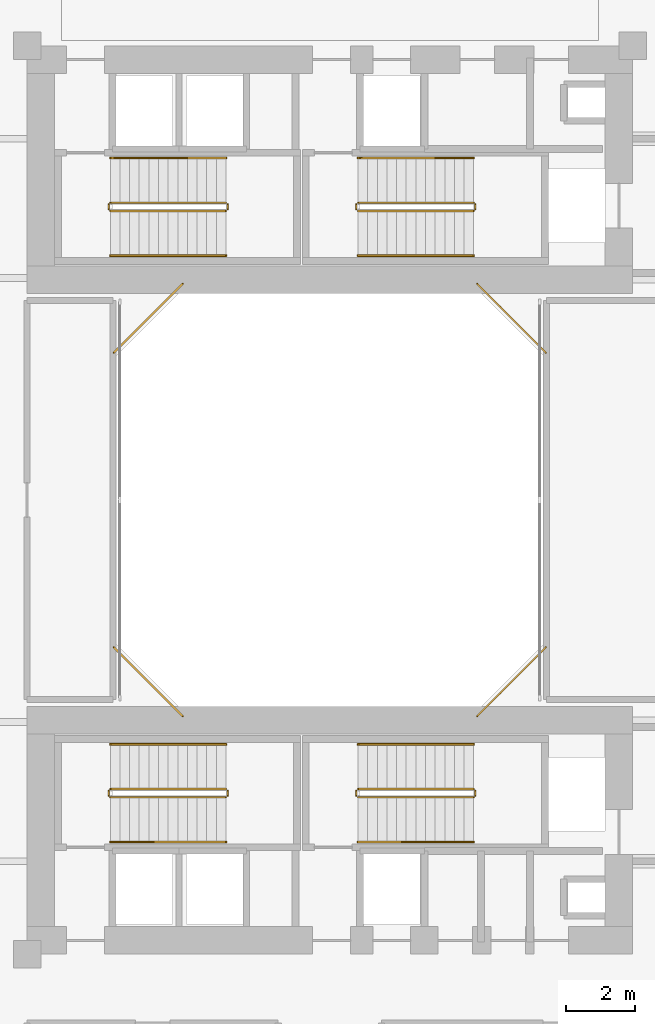
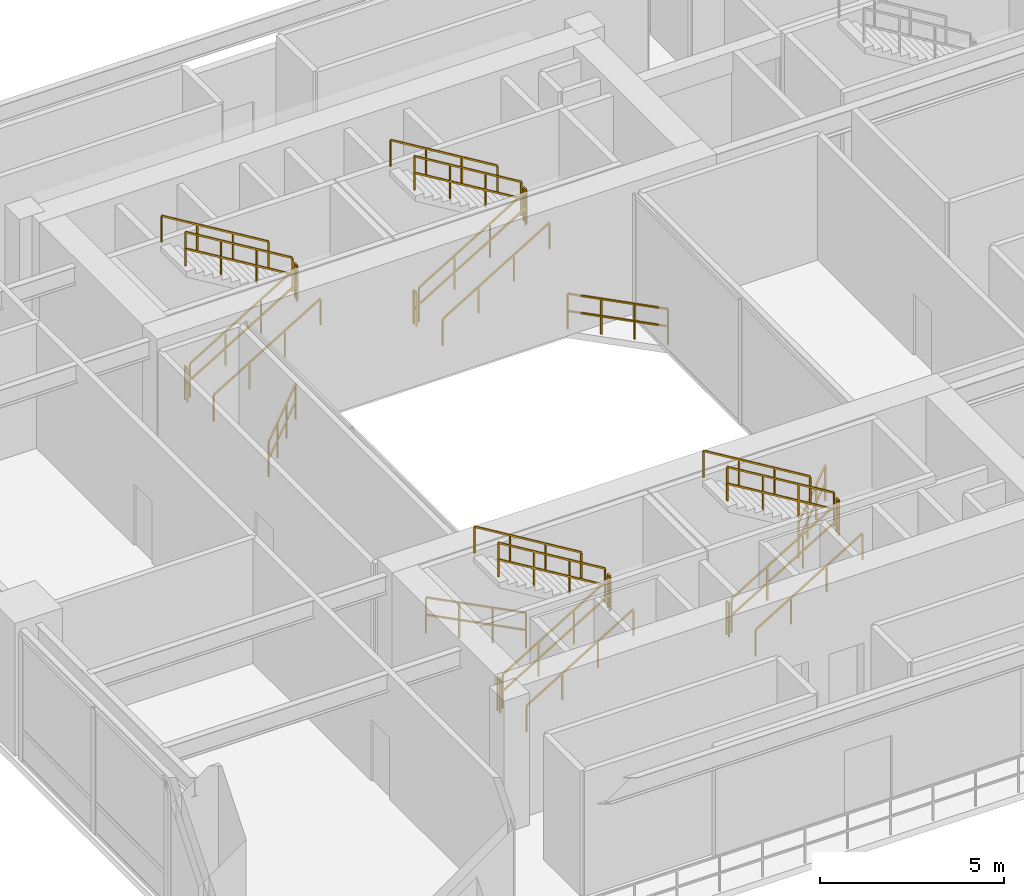
# One storey, part 17 of 20: 28 railings.
"""IFC4 building model written with IfcOpenShell, lengths in metres."""

from ifc_helpers import new_model, si_unit, direction, frame, origin, origin_2d, place, context, subcontext, project, spatial, rectangle, extrude, material, type_object, element, save


model = new_model("IFC4")

# Units and contexts
model_context = context("Model", 3, precision=1e-05, world=origin(), true_north=direction((0.0, 1.0)))
body_context = subcontext(model_context, "Body", "Model", "MODEL_VIEW")
ifc_project = project(units=[si_unit("LENGTHUNIT", "METRE"), si_unit("AREAUNIT", "SQUARE_METRE"), si_unit("VOLUMEUNIT", "CUBIC_METRE"), si_unit("PLANEANGLEUNIT", "RADIAN"), si_unit("MASSUNIT", "GRAM", prefix="KILO"), si_unit("THERMODYNAMICTEMPERATUREUNIT", "KELVIN"), si_unit("POWERUNIT", "WATT")], contexts=[model_context])

# Site, building, storey
site_placement = place(None, origin())
site = spatial("IfcSite", under=ifc_project, at=site_placement, CompositionType="ELEMENT")
building_placement = place(site_placement, origin())
building = spatial("IfcBuilding", under=site, at=building_placement, Name="Qiaomeng Ring Towers", CompositionType="ELEMENT")
storey_placement = place(building_placement, frame((0.0, 0.0, 13.800048828125)))
storey = spatial("IfcBuildingStorey", under=building, at=storey_placement, Name="L03", CompositionType="ELEMENT", Elevation=13.800048828125)

# Railings
ifc_material_1 = material(Name="Low-E pale-green laminated safety glass", Category="glass")
railing_type_1 = type_object("IfcRailingType", Name="ARC-RL-BAL1", PredefinedType="BALUSTRADE", material=ifc_material_1)
railing_1_placement = place(storey_placement, frame((23.280029296875, 16.719970703125, 0.0)))
element("IfcRailing", 1, at=railing_1_placement, inside=storey, type_object=railing_type_1, Name="L03 Balustrade ARC-BAL-WELL1-L03-1", PredefinedType="BALUSTRADE", context=body_context, shape_type="SweptSolid", body=[
    extrude(rectangle(XDim=0.048095703125, YDim=0.048095703125, at=origin_2d()), frame((0.0, 0.0, 1.17578125), z_axis=(0.707106781187, 0.707106781187, 0.0), x_axis=(-0.707106781187, 0.707106781187, 0.0)), (0.0, 0.0, 1.0), 2.828369140625),
    extrude(rectangle(XDim=0.048095703125, YDim=0.048095703125, at=origin_2d()), frame((0.0, 0.0, 0.60009765625), z_axis=(0.707106781187, 0.707106781187, 0.0), x_axis=(-0.707106781187, 0.707106781187, 0.0)), (0.0, 0.0, 1.0), 2.828369140625),
    extrude(rectangle(XDim=0.0419921875, YDim=0.0419921875, at=origin_2d()), origin(), (0.0, 0.0, 1.0), 1.15185546875),
    extrude(rectangle(XDim=0.0419921875, YDim=0.0419921875, at=origin_2d()), frame((0.666748046875, 0.666748046875, 0.0)), (0.0, 0.0, 1.0), 1.15185546875),
    extrude(rectangle(XDim=0.0419921875, YDim=0.0419921875, at=origin_2d()), frame((1.333251953125, 1.333251953125, 0.0)), (0.0, 0.0, 1.0), 1.15185546875),
    extrude(rectangle(XDim=0.0419921875, YDim=0.0419921875, at=origin_2d()), frame((2.0, 2.0, 0.0)), (0.0, 0.0, 1.0), 1.15185546875),
])
railing_2_placement = place(storey_placement, frame((25.280029296875, 27.280029296875, 0.0)))
element("IfcRailing", 2, at=railing_2_placement, inside=storey, type_object=railing_type_1, Name="L03 Balustrade ARC-BAL-WELL1-L03-2", PredefinedType="BALUSTRADE", context=body_context, shape_type="SweptSolid", body=[
    extrude(rectangle(XDim=0.048095703125, YDim=0.048095703125, at=origin_2d()), frame((0.0, 0.0, 1.17578125), z_axis=(-0.707106781187, 0.707106781187, 0.0), x_axis=(-0.707106781187, -0.707106781187, 0.0)), (0.0, 0.0, 1.0), 2.828369140625),
    extrude(rectangle(XDim=0.048095703125, YDim=0.048095703125, at=origin_2d()), frame((0.0, 0.0, 0.60009765625), z_axis=(-0.707106781187, 0.707106781187, 0.0), x_axis=(-0.707106781187, -0.707106781187, 0.0)), (0.0, 0.0, 1.0), 2.828369140625),
    extrude(rectangle(XDim=0.0419921875, YDim=0.0419921875, at=origin_2d()), origin(), (0.0, 0.0, 1.0), 1.15185546875),
    extrude(rectangle(XDim=0.0419921875, YDim=0.0419921875, at=origin_2d()), frame((-0.666748046875, 0.666748046875, 0.0)), (0.0, 0.0, 1.0), 1.15185546875),
    extrude(rectangle(XDim=0.0419921875, YDim=0.0419921875, at=origin_2d()), frame((-1.333251953125, 1.333251953125, 0.0)), (0.0, 0.0, 1.0), 1.15185546875),
    extrude(rectangle(XDim=0.0419921875, YDim=0.0419921875, at=origin_2d()), frame((-2.0, 2.0, 0.0)), (0.0, 0.0, 1.0), 1.15185546875),
])
railing_3_placement = place(storey_placement, frame((14.719970703125, 29.280029296875, 0.0)))
element("IfcRailing", 3, at=railing_3_placement, inside=storey, type_object=railing_type_1, Name="L03 Balustrade ARC-BAL-WELL1-L03-3", PredefinedType="BALUSTRADE", context=body_context, shape_type="SweptSolid", body=[
    extrude(rectangle(XDim=0.048095703125, YDim=0.048095703125, at=origin_2d()), frame((0.0, 0.0, 1.17578125), z_axis=(-0.707106781187, -0.707106781187, 0.0), x_axis=(0.707106781187, -0.707106781187, 0.0)), (0.0, 0.0, 1.0), 2.828369140625),
    extrude(rectangle(XDim=0.048095703125, YDim=0.048095703125, at=origin_2d()), frame((0.0, 0.0, 0.60009765625), z_axis=(-0.707106781187, -0.707106781187, 0.0), x_axis=(0.707106781187, -0.707106781187, 0.0)), (0.0, 0.0, 1.0), 2.828369140625),
    extrude(rectangle(XDim=0.0419921875, YDim=0.0419921875, at=origin_2d()), origin(), (0.0, 0.0, 1.0), 1.15185546875),
    extrude(rectangle(XDim=0.0419921875, YDim=0.0419921875, at=origin_2d()), frame((-0.666748046875, -0.666748046875, 0.0)), (0.0, 0.0, 1.0), 1.15185546875),
    extrude(rectangle(XDim=0.0419921875, YDim=0.0419921875, at=origin_2d()), frame((-1.333251953125, -1.333251953125, 0.0)), (0.0, 0.0, 1.0), 1.15185546875),
    extrude(rectangle(XDim=0.0419921875, YDim=0.0419921875, at=origin_2d()), frame((-2.0, -2.0, 0.0)), (0.0, 0.0, 1.0), 1.15185546875),
])
railing_4_placement = place(storey_placement, frame((12.719970703125, 18.719970703125, 0.0)))
element("IfcRailing", 4, at=railing_4_placement, inside=storey, type_object=railing_type_1, Name="L03 Balustrade ARC-BAL-WELL1-L03-4", PredefinedType="BALUSTRADE", context=body_context, shape_type="SweptSolid", body=[
    extrude(rectangle(XDim=0.048095703125, YDim=0.048095703125, at=origin_2d()), frame((0.0, 0.0, 1.17578125), z_axis=(0.707106781187, -0.707106781187, 0.0), x_axis=(0.707106781187, 0.707106781187, 0.0)), (0.0, 0.0, 1.0), 2.828369140625),
    extrude(rectangle(XDim=0.048095703125, YDim=0.048095703125, at=origin_2d()), frame((0.0, 0.0, 0.60009765625), z_axis=(0.707106781187, -0.707106781187, 0.0), x_axis=(0.707106781187, 0.707106781187, 0.0)), (0.0, 0.0, 1.0), 2.828369140625),
    extrude(rectangle(XDim=0.0419921875, YDim=0.0419921875, at=origin_2d()), origin(), (0.0, 0.0, 1.0), 1.15185546875),
    extrude(rectangle(XDim=0.0419921875, YDim=0.0419921875, at=origin_2d()), frame((0.666748046875, -0.666748046875, 0.0)), (0.0, 0.0, 1.0), 1.15185546875),
    extrude(rectangle(XDim=0.0419921875, YDim=0.0419921875, at=origin_2d()), frame((1.333251953125, -1.333251953125, 0.0)), (0.0, 0.0, 1.0), 1.15185546875),
    extrude(rectangle(XDim=0.0419921875, YDim=0.0419921875, at=origin_2d()), frame((2.0, -2.0, 0.0)), (0.0, 0.0, 1.0), 1.15185546875),
])
ifc_material_2 = material(Name="Galvanised steel", Category="steel")
railing_type_2 = type_object("IfcRailingType", Name="ARC-RL-GUARD", PredefinedType="GUARDRAIL", material=ifc_material_2)
railing_5_placement = place(storey_placement, frame((12.6201171875, 31.39990234375, 0.169189453125)))
element("IfcRailing", 5, at=railing_5_placement, inside=storey, type_object=railing_type_2, Name="L03 ST1 stair guard 1", PredefinedType="GUARDRAIL", context=body_context, shape_type="SweptSolid", body=[
    extrude(rectangle(XDim=0.048095703125, YDim=0.048095703125, at=origin_2d()), frame((0.0, 0.0, 1.1259765625), z_axis=(0.855820338506, 0.0, 0.51727318527), x_axis=(0.0, 1.0, 0.0)), (0.0, 0.0, 1.0), 3.92578125),
    extrude(rectangle(XDim=0.048095703125, YDim=0.048095703125, at=origin_2d()), frame((0.0, 0.0, 0.574951171875), z_axis=(0.855820338506, 0.0, 0.51727318527), x_axis=(0.0, 1.0, 0.0)), (0.0, 0.0, 1.0), 3.92578125),
    extrude(rectangle(XDim=0.0419921875, YDim=0.0419921875, at=origin_2d()), origin(), (0.0, 0.0, 1.0), 1.101806640625),
    extrude(rectangle(XDim=0.0419921875, YDim=0.0419921875, at=origin_2d()), frame((1.119873046875, 0.0, 0.677001953125)), (0.0, 0.0, 1.0), 1.101806640625),
    extrude(rectangle(XDim=0.0419921875, YDim=0.0419921875, at=origin_2d()), frame((2.239990234375, 0.0, 1.353759765625)), (0.0, 0.0, 1.0), 1.101806640625),
    extrude(rectangle(XDim=0.0419921875, YDim=0.0419921875, at=origin_2d()), frame((3.35986328125, 0.0, 2.03076171875)), (0.0, 0.0, 1.0), 1.101806640625),
])
railing_6_placement = place(storey_placement, frame((16.030029296875, 31.449951171875, 2.199951171875)))
element("IfcRailing", 6, at=railing_6_placement, inside=storey, type_object=railing_type_2, Name="L03 ST1 stair guard 2", PredefinedType="GUARDRAIL", context=body_context, shape_type="SweptSolid", body=[
    extrude(rectangle(XDim=0.048095703125, YDim=0.048095703125, at=origin_2d()), frame((0.0, 0.0, 1.1259765625), z_axis=(0.0, 1.0, 0.0), x_axis=(-1.0, 0.0, 0.0)), (0.0, 0.0, 1.0), 0.14013671875),
    extrude(rectangle(XDim=0.048095703125, YDim=0.048095703125, at=origin_2d()), frame((0.0, 0.0, 0.574951171875), z_axis=(0.0, 1.0, 0.0), x_axis=(-1.0, 0.0, 0.0)), (0.0, 0.0, 1.0), 0.14013671875),
    extrude(rectangle(XDim=0.0419921875, YDim=0.0419921875, at=origin_2d()), origin(), (0.0, 0.0, 1.0), 1.101806640625),
    extrude(rectangle(XDim=0.0419921875, YDim=0.0419921875, at=origin_2d()), frame((0.0, 0.14013671875, 0.0)), (0.0, 0.0, 1.0), 1.101806640625),
])
railing_7_placement = place(storey_placement, frame((15.97998046875, 31.639892578125, 2.369140625)))
element("IfcRailing", 7, at=railing_7_placement, inside=storey, type_object=railing_type_2, Name="L03 ST1 stair guard 3", PredefinedType="GUARDRAIL", context=body_context, shape_type="SweptSolid", body=[
    extrude(rectangle(XDim=0.048095703125, YDim=0.048095703125, at=origin_2d()), frame((0.0, 0.0, 1.1259765625), z_axis=(-0.855820338506, 0.0, 0.51727318527), x_axis=(0.0, -1.0, 0.0)), (0.0, 0.0, 1.0), 3.92578125),
    extrude(rectangle(XDim=0.048095703125, YDim=0.048095703125, at=origin_2d()), frame((0.0, 0.0, 0.574951171875), z_axis=(-0.855820338506, 0.0, 0.51727318527), x_axis=(0.0, -1.0, 0.0)), (0.0, 0.0, 1.0), 3.92578125),
    extrude(rectangle(XDim=0.0419921875, YDim=0.0419921875, at=origin_2d()), origin(), (0.0, 0.0, 1.0), 1.101806640625),
    extrude(rectangle(XDim=0.0419921875, YDim=0.0419921875, at=origin_2d()), frame((-1.119873046875, 0.0, 0.677001953125)), (0.0, 0.0, 1.0), 1.101806640625),
    extrude(rectangle(XDim=0.0419921875, YDim=0.0419921875, at=origin_2d()), frame((-2.239990234375, 0.0, 1.353759765625)), (0.0, 0.0, 1.0), 1.101806640625),
    extrude(rectangle(XDim=0.0419921875, YDim=0.0419921875, at=origin_2d()), frame((-3.35986328125, 0.0, 2.03076171875)), (0.0, 0.0, 1.0), 1.101806640625),
])
railing_8_placement = place(storey_placement, frame((12.570068359375, 31.449951171875, 0.0)))
element("IfcRailing", 8, at=railing_8_placement, inside=storey, type_object=railing_type_2, Name="L03 ST1 stair guard 4", PredefinedType="GUARDRAIL", context=body_context, shape_type="SweptSolid", body=[
    extrude(rectangle(XDim=0.048095703125, YDim=0.048095703125, at=origin_2d()), frame((0.0, 0.0, 1.1259765625), z_axis=(0.0, 1.0, 0.0), x_axis=(-1.0, 0.0, 0.0)), (0.0, 0.0, 1.0), 0.14013671875),
    extrude(rectangle(XDim=0.048095703125, YDim=0.048095703125, at=origin_2d()), frame((0.0, 0.0, 0.574951171875), z_axis=(0.0, 1.0, 0.0), x_axis=(-1.0, 0.0, 0.0)), (0.0, 0.0, 1.0), 0.14013671875),
    extrude(rectangle(XDim=0.0419921875, YDim=0.0419921875, at=origin_2d()), origin(), (0.0, 0.0, 1.0), 1.101806640625),
    extrude(rectangle(XDim=0.0419921875, YDim=0.0419921875, at=origin_2d()), frame((0.0, 0.14013671875, 0.0)), (0.0, 0.0, 1.0), 1.101806640625),
])
railing_9_placement = place(storey_placement, frame((19.820068359375, 31.39990234375, 0.169189453125)))
element("IfcRailing", 9, at=railing_9_placement, inside=storey, type_object=railing_type_2, Name="L03 ST2 stair guard 1", PredefinedType="GUARDRAIL", context=body_context, shape_type="SweptSolid", body=[
    extrude(rectangle(XDim=0.048095703125, YDim=0.048095703125, at=origin_2d()), frame((0.0, 0.0, 1.1259765625), z_axis=(0.855820338506, 0.0, 0.51727318527), x_axis=(0.0, 1.0, 0.0)), (0.0, 0.0, 1.0), 3.92578125),
    extrude(rectangle(XDim=0.048095703125, YDim=0.048095703125, at=origin_2d()), frame((0.0, 0.0, 0.574951171875), z_axis=(0.855820338506, 0.0, 0.51727318527), x_axis=(0.0, 1.0, 0.0)), (0.0, 0.0, 1.0), 3.92578125),
    extrude(rectangle(XDim=0.0419921875, YDim=0.0419921875, at=origin_2d()), origin(), (0.0, 0.0, 1.0), 1.101806640625),
    extrude(rectangle(XDim=0.0419921875, YDim=0.0419921875, at=origin_2d()), frame((1.119873046875, 0.0, 0.677001953125)), (0.0, 0.0, 1.0), 1.101806640625),
    extrude(rectangle(XDim=0.0419921875, YDim=0.0419921875, at=origin_2d()), frame((2.239990234375, 0.0, 1.353759765625)), (0.0, 0.0, 1.0), 1.101806640625),
    extrude(rectangle(XDim=0.0419921875, YDim=0.0419921875, at=origin_2d()), frame((3.35986328125, 0.0, 2.03076171875)), (0.0, 0.0, 1.0), 1.101806640625),
])
railing_10_placement = place(storey_placement, frame((23.22998046875, 31.449951171875, 2.199951171875)))
element("IfcRailing", 10, at=railing_10_placement, inside=storey, type_object=railing_type_2, Name="L03 ST2 stair guard 2", PredefinedType="GUARDRAIL", context=body_context, shape_type="SweptSolid", body=[
    extrude(rectangle(XDim=0.048095703125, YDim=0.048095703125, at=origin_2d()), frame((0.0, 0.0, 1.1259765625), z_axis=(0.0, 1.0, 0.0), x_axis=(-1.0, 0.0, 0.0)), (0.0, 0.0, 1.0), 0.14013671875),
    extrude(rectangle(XDim=0.048095703125, YDim=0.048095703125, at=origin_2d()), frame((0.0, 0.0, 0.574951171875), z_axis=(0.0, 1.0, 0.0), x_axis=(-1.0, 0.0, 0.0)), (0.0, 0.0, 1.0), 0.14013671875),
    extrude(rectangle(XDim=0.0419921875, YDim=0.0419921875, at=origin_2d()), origin(), (0.0, 0.0, 1.0), 1.101806640625),
    extrude(rectangle(XDim=0.0419921875, YDim=0.0419921875, at=origin_2d()), frame((0.0, 0.14013671875, 0.0)), (0.0, 0.0, 1.0), 1.101806640625),
])
railing_11_placement = place(storey_placement, frame((23.179931640625, 31.639892578125, 2.369140625)))
element("IfcRailing", 11, at=railing_11_placement, inside=storey, type_object=railing_type_2, Name="L03 ST2 stair guard 3", PredefinedType="GUARDRAIL", context=body_context, shape_type="SweptSolid", body=[
    extrude(rectangle(XDim=0.048095703125, YDim=0.048095703125, at=origin_2d()), frame((0.0, 0.0, 1.1259765625), z_axis=(-0.855820338506, 0.0, 0.51727318527), x_axis=(0.0, -1.0, 0.0)), (0.0, 0.0, 1.0), 3.92578125),
    extrude(rectangle(XDim=0.048095703125, YDim=0.048095703125, at=origin_2d()), frame((0.0, 0.0, 0.574951171875), z_axis=(-0.855820338506, 0.0, 0.51727318527), x_axis=(0.0, -1.0, 0.0)), (0.0, 0.0, 1.0), 3.92578125),
    extrude(rectangle(XDim=0.0419921875, YDim=0.0419921875, at=origin_2d()), origin(), (0.0, 0.0, 1.0), 1.101806640625),
    extrude(rectangle(XDim=0.0419921875, YDim=0.0419921875, at=origin_2d()), frame((-1.119873046875, 0.0, 0.677001953125)), (0.0, 0.0, 1.0), 1.101806640625),
    extrude(rectangle(XDim=0.0419921875, YDim=0.0419921875, at=origin_2d()), frame((-2.239990234375, 0.0, 1.353759765625)), (0.0, 0.0, 1.0), 1.101806640625),
    extrude(rectangle(XDim=0.0419921875, YDim=0.0419921875, at=origin_2d()), frame((-3.35986328125, 0.0, 2.03076171875)), (0.0, 0.0, 1.0), 1.101806640625),
])
railing_12_placement = place(storey_placement, frame((19.77001953125, 31.449951171875, 0.0)))
element("IfcRailing", 12, at=railing_12_placement, inside=storey, type_object=railing_type_2, Name="L03 ST2 stair guard 4", PredefinedType="GUARDRAIL", context=body_context, shape_type="SweptSolid", body=[
    extrude(rectangle(XDim=0.048095703125, YDim=0.048095703125, at=origin_2d()), frame((0.0, 0.0, 1.1259765625), z_axis=(0.0, 1.0, 0.0), x_axis=(-1.0, 0.0, 0.0)), (0.0, 0.0, 1.0), 0.14013671875),
    extrude(rectangle(XDim=0.048095703125, YDim=0.048095703125, at=origin_2d()), frame((0.0, 0.0, 0.574951171875), z_axis=(0.0, 1.0, 0.0), x_axis=(-1.0, 0.0, 0.0)), (0.0, 0.0, 1.0), 0.14013671875),
    extrude(rectangle(XDim=0.0419921875, YDim=0.0419921875, at=origin_2d()), origin(), (0.0, 0.0, 1.0), 1.101806640625),
    extrude(rectangle(XDim=0.0419921875, YDim=0.0419921875, at=origin_2d()), frame((0.0, 0.14013671875, 0.0)), (0.0, 0.0, 1.0), 1.101806640625),
])
railing_13_placement = place(storey_placement, frame((12.6201171875, 14.360107421875, 0.169189453125)))
element("IfcRailing", 13, at=railing_13_placement, inside=storey, type_object=railing_type_2, Name="L03 ST3 stair guard 1", PredefinedType="GUARDRAIL", context=body_context, shape_type="SweptSolid", body=[
    extrude(rectangle(XDim=0.048095703125, YDim=0.048095703125, at=origin_2d()), frame((0.0, 0.0, 1.1259765625), z_axis=(0.855820338506, 0.0, 0.51727318527), x_axis=(0.0, 1.0, 0.0)), (0.0, 0.0, 1.0), 3.92578125),
    extrude(rectangle(XDim=0.048095703125, YDim=0.048095703125, at=origin_2d()), frame((0.0, 0.0, 0.574951171875), z_axis=(0.855820338506, 0.0, 0.51727318527), x_axis=(0.0, 1.0, 0.0)), (0.0, 0.0, 1.0), 3.92578125),
    extrude(rectangle(XDim=0.0419921875, YDim=0.0419921875, at=origin_2d()), origin(), (0.0, 0.0, 1.0), 1.101806640625),
    extrude(rectangle(XDim=0.0419921875, YDim=0.0419921875, at=origin_2d()), frame((1.119873046875, 0.0, 0.677001953125)), (0.0, 0.0, 1.0), 1.101806640625),
    extrude(rectangle(XDim=0.0419921875, YDim=0.0419921875, at=origin_2d()), frame((2.239990234375, 0.0, 1.353759765625)), (0.0, 0.0, 1.0), 1.101806640625),
    extrude(rectangle(XDim=0.0419921875, YDim=0.0419921875, at=origin_2d()), frame((3.35986328125, 0.0, 2.03076171875)), (0.0, 0.0, 1.0), 1.101806640625),
])
railing_14_placement = place(storey_placement, frame((16.030029296875, 14.409912109375, 2.199951171875)))
element("IfcRailing", 14, at=railing_14_placement, inside=storey, type_object=railing_type_2, Name="L03 ST3 stair guard 2", PredefinedType="GUARDRAIL", context=body_context, shape_type="SweptSolid", body=[
    extrude(rectangle(XDim=0.048095703125, YDim=0.048095703125, at=origin_2d()), frame((0.0, 0.0, 1.1259765625), z_axis=(0.0, 1.0, 0.0), x_axis=(-1.0, 0.0, 0.0)), (0.0, 0.0, 1.0), 0.14013671875),
    extrude(rectangle(XDim=0.048095703125, YDim=0.048095703125, at=origin_2d()), frame((0.0, 0.0, 0.574951171875), z_axis=(0.0, 1.0, 0.0), x_axis=(-1.0, 0.0, 0.0)), (0.0, 0.0, 1.0), 0.14013671875),
    extrude(rectangle(XDim=0.0419921875, YDim=0.0419921875, at=origin_2d()), origin(), (0.0, 0.0, 1.0), 1.101806640625),
    extrude(rectangle(XDim=0.0419921875, YDim=0.0419921875, at=origin_2d()), frame((0.0, 0.14013671875, 0.0)), (0.0, 0.0, 1.0), 1.101806640625),
])
railing_15_placement = place(storey_placement, frame((15.97998046875, 14.60009765625, 2.369140625)))
element("IfcRailing", 15, at=railing_15_placement, inside=storey, type_object=railing_type_2, Name="L03 ST3 stair guard 3", PredefinedType="GUARDRAIL", context=body_context, shape_type="SweptSolid", body=[
    extrude(rectangle(XDim=0.048095703125, YDim=0.048095703125, at=origin_2d()), frame((0.0, 0.0, 1.1259765625), z_axis=(-0.855820338506, 0.0, 0.51727318527), x_axis=(0.0, -1.0, 0.0)), (0.0, 0.0, 1.0), 3.92578125),
    extrude(rectangle(XDim=0.048095703125, YDim=0.048095703125, at=origin_2d()), frame((0.0, 0.0, 0.574951171875), z_axis=(-0.855820338506, 0.0, 0.51727318527), x_axis=(0.0, -1.0, 0.0)), (0.0, 0.0, 1.0), 3.92578125),
    extrude(rectangle(XDim=0.0419921875, YDim=0.0419921875, at=origin_2d()), origin(), (0.0, 0.0, 1.0), 1.101806640625),
    extrude(rectangle(XDim=0.0419921875, YDim=0.0419921875, at=origin_2d()), frame((-1.119873046875, 0.0, 0.677001953125)), (0.0, 0.0, 1.0), 1.101806640625),
    extrude(rectangle(XDim=0.0419921875, YDim=0.0419921875, at=origin_2d()), frame((-2.239990234375, 0.0, 1.353759765625)), (0.0, 0.0, 1.0), 1.101806640625),
    extrude(rectangle(XDim=0.0419921875, YDim=0.0419921875, at=origin_2d()), frame((-3.35986328125, 0.0, 2.03076171875)), (0.0, 0.0, 1.0), 1.101806640625),
])
railing_16_placement = place(storey_placement, frame((12.570068359375, 14.409912109375, 0.0)))
element("IfcRailing", 16, at=railing_16_placement, inside=storey, type_object=railing_type_2, Name="L03 ST3 stair guard 4", PredefinedType="GUARDRAIL", context=body_context, shape_type="SweptSolid", body=[
    extrude(rectangle(XDim=0.048095703125, YDim=0.048095703125, at=origin_2d()), frame((0.0, 0.0, 1.1259765625), z_axis=(0.0, 1.0, 0.0), x_axis=(-1.0, 0.0, 0.0)), (0.0, 0.0, 1.0), 0.14013671875),
    extrude(rectangle(XDim=0.048095703125, YDim=0.048095703125, at=origin_2d()), frame((0.0, 0.0, 0.574951171875), z_axis=(0.0, 1.0, 0.0), x_axis=(-1.0, 0.0, 0.0)), (0.0, 0.0, 1.0), 0.14013671875),
    extrude(rectangle(XDim=0.0419921875, YDim=0.0419921875, at=origin_2d()), origin(), (0.0, 0.0, 1.0), 1.101806640625),
    extrude(rectangle(XDim=0.0419921875, YDim=0.0419921875, at=origin_2d()), frame((0.0, 0.14013671875, 0.0)), (0.0, 0.0, 1.0), 1.101806640625),
])
railing_17_placement = place(storey_placement, frame((19.820068359375, 14.360107421875, 0.169189453125)))
element("IfcRailing", 17, at=railing_17_placement, inside=storey, type_object=railing_type_2, Name="L03 ST4 stair guard 1", PredefinedType="GUARDRAIL", context=body_context, shape_type="SweptSolid", body=[
    extrude(rectangle(XDim=0.048095703125, YDim=0.048095703125, at=origin_2d()), frame((0.0, 0.0, 1.1259765625), z_axis=(0.855820338506, 0.0, 0.51727318527), x_axis=(0.0, 1.0, 0.0)), (0.0, 0.0, 1.0), 3.92578125),
    extrude(rectangle(XDim=0.048095703125, YDim=0.048095703125, at=origin_2d()), frame((0.0, 0.0, 0.574951171875), z_axis=(0.855820338506, 0.0, 0.51727318527), x_axis=(0.0, 1.0, 0.0)), (0.0, 0.0, 1.0), 3.92578125),
    extrude(rectangle(XDim=0.0419921875, YDim=0.0419921875, at=origin_2d()), origin(), (0.0, 0.0, 1.0), 1.101806640625),
    extrude(rectangle(XDim=0.0419921875, YDim=0.0419921875, at=origin_2d()), frame((1.119873046875, 0.0, 0.677001953125)), (0.0, 0.0, 1.0), 1.101806640625),
    extrude(rectangle(XDim=0.0419921875, YDim=0.0419921875, at=origin_2d()), frame((2.239990234375, 0.0, 1.353759765625)), (0.0, 0.0, 1.0), 1.101806640625),
    extrude(rectangle(XDim=0.0419921875, YDim=0.0419921875, at=origin_2d()), frame((3.35986328125, 0.0, 2.03076171875)), (0.0, 0.0, 1.0), 1.101806640625),
])
railing_18_placement = place(storey_placement, frame((23.22998046875, 14.409912109375, 2.199951171875)))
element("IfcRailing", 18, at=railing_18_placement, inside=storey, type_object=railing_type_2, Name="L03 ST4 stair guard 2", PredefinedType="GUARDRAIL", context=body_context, shape_type="SweptSolid", body=[
    extrude(rectangle(XDim=0.048095703125, YDim=0.048095703125, at=origin_2d()), frame((0.0, 0.0, 1.1259765625), z_axis=(0.0, 1.0, 0.0), x_axis=(-1.0, 0.0, 0.0)), (0.0, 0.0, 1.0), 0.14013671875),
    extrude(rectangle(XDim=0.048095703125, YDim=0.048095703125, at=origin_2d()), frame((0.0, 0.0, 0.574951171875), z_axis=(0.0, 1.0, 0.0), x_axis=(-1.0, 0.0, 0.0)), (0.0, 0.0, 1.0), 0.14013671875),
    extrude(rectangle(XDim=0.0419921875, YDim=0.0419921875, at=origin_2d()), origin(), (0.0, 0.0, 1.0), 1.101806640625),
    extrude(rectangle(XDim=0.0419921875, YDim=0.0419921875, at=origin_2d()), frame((0.0, 0.14013671875, 0.0)), (0.0, 0.0, 1.0), 1.101806640625),
])
railing_19_placement = place(storey_placement, frame((23.179931640625, 14.60009765625, 2.369140625)))
element("IfcRailing", 19, at=railing_19_placement, inside=storey, type_object=railing_type_2, Name="L03 ST4 stair guard 3", PredefinedType="GUARDRAIL", context=body_context, shape_type="SweptSolid", body=[
    extrude(rectangle(XDim=0.048095703125, YDim=0.048095703125, at=origin_2d()), frame((0.0, 0.0, 1.1259765625), z_axis=(-0.855820338506, 0.0, 0.51727318527), x_axis=(0.0, -1.0, 0.0)), (0.0, 0.0, 1.0), 3.92578125),
    extrude(rectangle(XDim=0.048095703125, YDim=0.048095703125, at=origin_2d()), frame((0.0, 0.0, 0.574951171875), z_axis=(-0.855820338506, 0.0, 0.51727318527), x_axis=(0.0, -1.0, 0.0)), (0.0, 0.0, 1.0), 3.92578125),
    extrude(rectangle(XDim=0.0419921875, YDim=0.0419921875, at=origin_2d()), origin(), (0.0, 0.0, 1.0), 1.101806640625),
    extrude(rectangle(XDim=0.0419921875, YDim=0.0419921875, at=origin_2d()), frame((-1.119873046875, 0.0, 0.677001953125)), (0.0, 0.0, 1.0), 1.101806640625),
    extrude(rectangle(XDim=0.0419921875, YDim=0.0419921875, at=origin_2d()), frame((-2.239990234375, 0.0, 1.353759765625)), (0.0, 0.0, 1.0), 1.101806640625),
    extrude(rectangle(XDim=0.0419921875, YDim=0.0419921875, at=origin_2d()), frame((-3.35986328125, 0.0, 2.03076171875)), (0.0, 0.0, 1.0), 1.101806640625),
])
railing_20_placement = place(storey_placement, frame((19.77001953125, 14.409912109375, 0.0)))
element("IfcRailing", 20, at=railing_20_placement, inside=storey, type_object=railing_type_2, Name="L03 ST4 stair guard 4", PredefinedType="GUARDRAIL", context=body_context, shape_type="SweptSolid", body=[
    extrude(rectangle(XDim=0.048095703125, YDim=0.048095703125, at=origin_2d()), frame((0.0, 0.0, 1.1259765625), z_axis=(0.0, 1.0, 0.0), x_axis=(-1.0, 0.0, 0.0)), (0.0, 0.0, 1.0), 0.14013671875),
    extrude(rectangle(XDim=0.048095703125, YDim=0.048095703125, at=origin_2d()), frame((0.0, 0.0, 0.574951171875), z_axis=(0.0, 1.0, 0.0), x_axis=(-1.0, 0.0, 0.0)), (0.0, 0.0, 1.0), 0.14013671875),
    extrude(rectangle(XDim=0.0419921875, YDim=0.0419921875, at=origin_2d()), origin(), (0.0, 0.0, 1.0), 1.101806640625),
    extrude(rectangle(XDim=0.0419921875, YDim=0.0419921875, at=origin_2d()), frame((0.0, 0.14013671875, 0.0)), (0.0, 0.0, 1.0), 1.101806640625),
])
ifc_material_3 = material(Name="Stainless steel 316", Category="steel")
railing_type_3 = type_object("IfcRailingType", Name="ARC-RL-HAND", PredefinedType="HANDRAIL", material=ifc_material_3)
railing_21_placement = place(storey_placement, frame((12.6201171875, 30.10009765625, 0.169189453125)))
element("IfcRailing", 21, at=railing_21_placement, inside=storey, type_object=railing_type_3, Name="L03 ST1 stair handrail 1", PredefinedType="HANDRAIL", context=body_context, shape_type="SweptSolid", body=[
    extrude(rectangle(XDim=0.048095703125, YDim=0.048095703125, at=origin_2d()), frame((0.0, 0.0, 0.8759765625), z_axis=(0.855820338506, 0.0, 0.51727318527), x_axis=(0.0, 1.0, 0.0)), (0.0, 0.0, 1.0), 3.92578125),
    extrude(rectangle(XDim=0.0419921875, YDim=0.0419921875, at=origin_2d()), origin(), (0.0, 0.0, 1.0), 0.851806640625),
    extrude(rectangle(XDim=0.0419921875, YDim=0.0419921875, at=origin_2d()), frame((1.119873046875, 0.0, 0.677001953125)), (0.0, 0.0, 1.0), 0.851806640625),
    extrude(rectangle(XDim=0.0419921875, YDim=0.0419921875, at=origin_2d()), frame((2.239990234375, 0.0, 1.353759765625)), (0.0, 0.0, 1.0), 0.851806640625),
    extrude(rectangle(XDim=0.0419921875, YDim=0.0419921875, at=origin_2d()), frame((3.35986328125, 0.0, 2.03076171875)), (0.0, 0.0, 1.0), 0.851806640625),
])
railing_22_placement = place(storey_placement, frame((15.97998046875, 32.93994140625, 2.369140625)))
element("IfcRailing", 22, at=railing_22_placement, inside=storey, type_object=railing_type_3, Name="L03 ST1 stair handrail 2", PredefinedType="HANDRAIL", context=body_context, shape_type="SweptSolid", body=[
    extrude(rectangle(XDim=0.048095703125, YDim=0.048095703125, at=origin_2d()), frame((0.0, 0.0, 0.8759765625), z_axis=(-0.855820338506, 0.0, 0.51727318527), x_axis=(0.0, -1.0, 0.0)), (0.0, 0.0, 1.0), 3.92578125),
    extrude(rectangle(XDim=0.0419921875, YDim=0.0419921875, at=origin_2d()), origin(), (0.0, 0.0, 1.0), 0.851806640625),
    extrude(rectangle(XDim=0.0419921875, YDim=0.0419921875, at=origin_2d()), frame((-1.119873046875, 0.0, 0.677001953125)), (0.0, 0.0, 1.0), 0.851806640625),
    extrude(rectangle(XDim=0.0419921875, YDim=0.0419921875, at=origin_2d()), frame((-2.239990234375, 0.0, 1.353759765625)), (0.0, 0.0, 1.0), 0.851806640625),
    extrude(rectangle(XDim=0.0419921875, YDim=0.0419921875, at=origin_2d()), frame((-3.35986328125, 0.0, 2.03076171875)), (0.0, 0.0, 1.0), 0.851806640625),
])
railing_23_placement = place(storey_placement, frame((19.820068359375, 30.10009765625, 0.169189453125)))
element("IfcRailing", 23, at=railing_23_placement, inside=storey, type_object=railing_type_3, Name="L03 ST2 stair handrail 1", PredefinedType="HANDRAIL", context=body_context, shape_type="SweptSolid", body=[
    extrude(rectangle(XDim=0.048095703125, YDim=0.048095703125, at=origin_2d()), frame((0.0, 0.0, 0.8759765625), z_axis=(0.855820338506, 0.0, 0.51727318527), x_axis=(0.0, 1.0, 0.0)), (0.0, 0.0, 1.0), 3.92578125),
    extrude(rectangle(XDim=0.0419921875, YDim=0.0419921875, at=origin_2d()), origin(), (0.0, 0.0, 1.0), 0.851806640625),
    extrude(rectangle(XDim=0.0419921875, YDim=0.0419921875, at=origin_2d()), frame((1.119873046875, 0.0, 0.677001953125)), (0.0, 0.0, 1.0), 0.851806640625),
    extrude(rectangle(XDim=0.0419921875, YDim=0.0419921875, at=origin_2d()), frame((2.239990234375, 0.0, 1.353759765625)), (0.0, 0.0, 1.0), 0.851806640625),
    extrude(rectangle(XDim=0.0419921875, YDim=0.0419921875, at=origin_2d()), frame((3.35986328125, 0.0, 2.03076171875)), (0.0, 0.0, 1.0), 0.851806640625),
])
railing_24_placement = place(storey_placement, frame((23.179931640625, 32.93994140625, 2.369140625)))
element("IfcRailing", 24, at=railing_24_placement, inside=storey, type_object=railing_type_3, Name="L03 ST2 stair handrail 2", PredefinedType="HANDRAIL", context=body_context, shape_type="SweptSolid", body=[
    extrude(rectangle(XDim=0.048095703125, YDim=0.048095703125, at=origin_2d()), frame((0.0, 0.0, 0.8759765625), z_axis=(-0.855820338506, 0.0, 0.51727318527), x_axis=(0.0, -1.0, 0.0)), (0.0, 0.0, 1.0), 3.92578125),
    extrude(rectangle(XDim=0.0419921875, YDim=0.0419921875, at=origin_2d()), origin(), (0.0, 0.0, 1.0), 0.851806640625),
    extrude(rectangle(XDim=0.0419921875, YDim=0.0419921875, at=origin_2d()), frame((-1.119873046875, 0.0, 0.677001953125)), (0.0, 0.0, 1.0), 0.851806640625),
    extrude(rectangle(XDim=0.0419921875, YDim=0.0419921875, at=origin_2d()), frame((-2.239990234375, 0.0, 1.353759765625)), (0.0, 0.0, 1.0), 0.851806640625),
    extrude(rectangle(XDim=0.0419921875, YDim=0.0419921875, at=origin_2d()), frame((-3.35986328125, 0.0, 2.03076171875)), (0.0, 0.0, 1.0), 0.851806640625),
])
railing_25_placement = place(storey_placement, frame((12.6201171875, 13.06005859375, 0.169189453125)))
element("IfcRailing", 25, at=railing_25_placement, inside=storey, type_object=railing_type_3, Name="L03 ST3 stair handrail 1", PredefinedType="HANDRAIL", context=body_context, shape_type="SweptSolid", body=[
    extrude(rectangle(XDim=0.048095703125, YDim=0.048095703125, at=origin_2d()), frame((0.0, 0.0, 0.8759765625), z_axis=(0.855820338506, 0.0, 0.51727318527), x_axis=(0.0, 1.0, 0.0)), (0.0, 0.0, 1.0), 3.92578125),
    extrude(rectangle(XDim=0.0419921875, YDim=0.0419921875, at=origin_2d()), origin(), (0.0, 0.0, 1.0), 0.851806640625),
    extrude(rectangle(XDim=0.0419921875, YDim=0.0419921875, at=origin_2d()), frame((1.119873046875, 0.0, 0.677001953125)), (0.0, 0.0, 1.0), 0.851806640625),
    extrude(rectangle(XDim=0.0419921875, YDim=0.0419921875, at=origin_2d()), frame((2.239990234375, 0.0, 1.353759765625)), (0.0, 0.0, 1.0), 0.851806640625),
    extrude(rectangle(XDim=0.0419921875, YDim=0.0419921875, at=origin_2d()), frame((3.35986328125, 0.0, 2.03076171875)), (0.0, 0.0, 1.0), 0.851806640625),
])
railing_26_placement = place(storey_placement, frame((15.97998046875, 15.89990234375, 2.369140625)))
element("IfcRailing", 26, at=railing_26_placement, inside=storey, type_object=railing_type_3, Name="L03 ST3 stair handrail 2", PredefinedType="HANDRAIL", context=body_context, shape_type="SweptSolid", body=[
    extrude(rectangle(XDim=0.048095703125, YDim=0.048095703125, at=origin_2d()), frame((0.0, 0.0, 0.8759765625), z_axis=(-0.855820338506, 0.0, 0.51727318527), x_axis=(0.0, -1.0, 0.0)), (0.0, 0.0, 1.0), 3.92578125),
    extrude(rectangle(XDim=0.0419921875, YDim=0.0419921875, at=origin_2d()), origin(), (0.0, 0.0, 1.0), 0.851806640625),
    extrude(rectangle(XDim=0.0419921875, YDim=0.0419921875, at=origin_2d()), frame((-1.119873046875, 0.0, 0.677001953125)), (0.0, 0.0, 1.0), 0.851806640625),
    extrude(rectangle(XDim=0.0419921875, YDim=0.0419921875, at=origin_2d()), frame((-2.239990234375, 0.0, 1.353759765625)), (0.0, 0.0, 1.0), 0.851806640625),
    extrude(rectangle(XDim=0.0419921875, YDim=0.0419921875, at=origin_2d()), frame((-3.35986328125, 0.0, 2.03076171875)), (0.0, 0.0, 1.0), 0.851806640625),
])
railing_27_placement = place(storey_placement, frame((19.820068359375, 13.06005859375, 0.169189453125)))
element("IfcRailing", 27, at=railing_27_placement, inside=storey, type_object=railing_type_3, Name="L03 ST4 stair handrail 1", PredefinedType="HANDRAIL", context=body_context, shape_type="SweptSolid", body=[
    extrude(rectangle(XDim=0.048095703125, YDim=0.048095703125, at=origin_2d()), frame((0.0, 0.0, 0.8759765625), z_axis=(0.855820338506, 0.0, 0.51727318527), x_axis=(0.0, 1.0, 0.0)), (0.0, 0.0, 1.0), 3.92578125),
    extrude(rectangle(XDim=0.0419921875, YDim=0.0419921875, at=origin_2d()), origin(), (0.0, 0.0, 1.0), 0.851806640625),
    extrude(rectangle(XDim=0.0419921875, YDim=0.0419921875, at=origin_2d()), frame((1.119873046875, 0.0, 0.677001953125)), (0.0, 0.0, 1.0), 0.851806640625),
    extrude(rectangle(XDim=0.0419921875, YDim=0.0419921875, at=origin_2d()), frame((2.239990234375, 0.0, 1.353759765625)), (0.0, 0.0, 1.0), 0.851806640625),
    extrude(rectangle(XDim=0.0419921875, YDim=0.0419921875, at=origin_2d()), frame((3.35986328125, 0.0, 2.03076171875)), (0.0, 0.0, 1.0), 0.851806640625),
])
railing_28_placement = place(storey_placement, frame((23.179931640625, 15.89990234375, 2.369140625)))
element("IfcRailing", 28, at=railing_28_placement, inside=storey, type_object=railing_type_3, Name="L03 ST4 stair handrail 2", PredefinedType="HANDRAIL", context=body_context, shape_type="SweptSolid", body=[
    extrude(rectangle(XDim=0.048095703125, YDim=0.048095703125, at=origin_2d()), frame((0.0, 0.0, 0.8759765625), z_axis=(-0.855820338506, 0.0, 0.51727318527), x_axis=(0.0, -1.0, 0.0)), (0.0, 0.0, 1.0), 3.92578125),
    extrude(rectangle(XDim=0.0419921875, YDim=0.0419921875, at=origin_2d()), origin(), (0.0, 0.0, 1.0), 0.851806640625),
    extrude(rectangle(XDim=0.0419921875, YDim=0.0419921875, at=origin_2d()), frame((-1.119873046875, 0.0, 0.677001953125)), (0.0, 0.0, 1.0), 0.851806640625),
    extrude(rectangle(XDim=0.0419921875, YDim=0.0419921875, at=origin_2d()), frame((-2.239990234375, 0.0, 1.353759765625)), (0.0, 0.0, 1.0), 0.851806640625),
    extrude(rectangle(XDim=0.0419921875, YDim=0.0419921875, at=origin_2d()), frame((-3.35986328125, 0.0, 2.03076171875)), (0.0, 0.0, 1.0), 0.851806640625),
])

save(model, "model.ifc")
